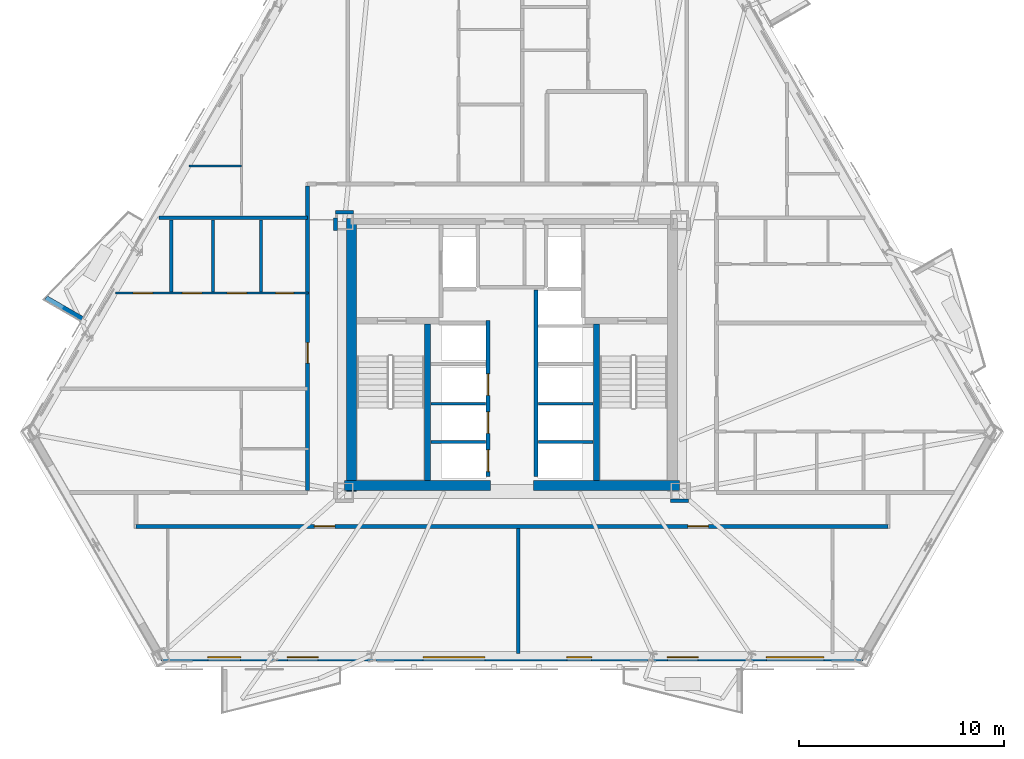
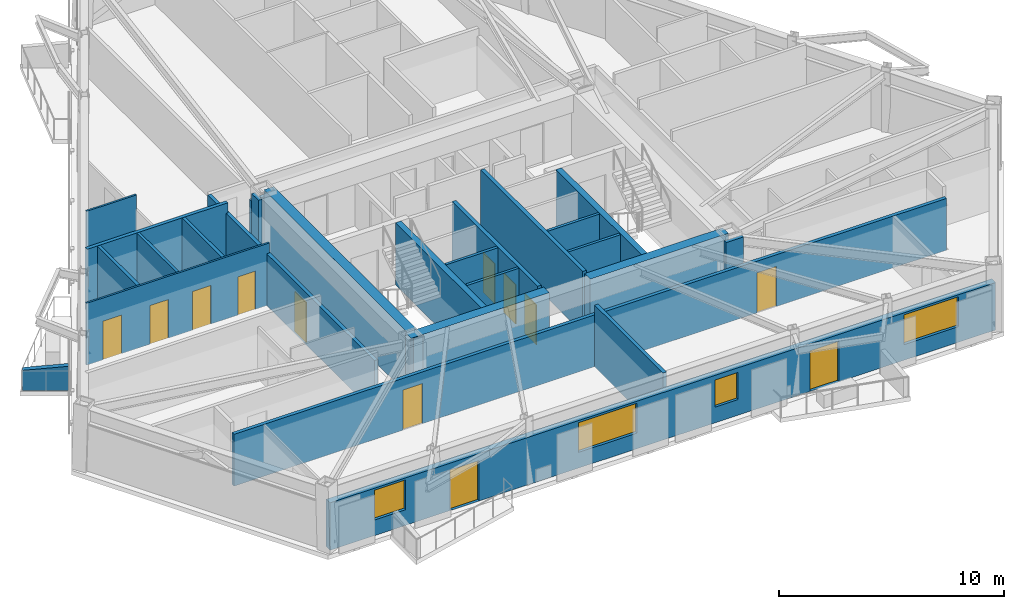
# One storey, part 3 of 11: 25 walls, 12 doors, 4 windows, 16 openings.
"""IFC4 building model written with IfcOpenShell, lengths in metres."""

from ifc_helpers import new_model, si_unit, direction, frame, frame_2d, origin, place, context, subcontext, project, spatial, polyline, rectangle, outline, extrude, material, layer, layer_set, type_object, element, fill, save


model = new_model("IFC4")

# Units and contexts
model_context = context("Model", 3, precision=1e-05, world=origin(), true_north=direction((0.0, 1.0)))
body_context = subcontext(model_context, "Body", "Model", "MODEL_VIEW")
ifc_project = project(units=[si_unit("LENGTHUNIT", "METRE"), si_unit("AREAUNIT", "SQUARE_METRE"), si_unit("VOLUMEUNIT", "CUBIC_METRE"), si_unit("PLANEANGLEUNIT", "RADIAN"), si_unit("MASSUNIT", "GRAM", prefix="KILO")], contexts=[model_context])

# Site, building, storey
site_placement = place(None, origin())
site = spatial("IfcSite", under=ifc_project, at=site_placement, CompositionType="ELEMENT")
building_placement = place(site_placement, origin())
building = spatial("IfcBuilding", under=site, at=building_placement, Name="Oramaril Tower", CompositionType="ELEMENT")
storey_placement = place(building_placement, frame((0.0, 0.0, 86.10009765625)))
storey = spatial("IfcBuildingStorey", under=building, at=storey_placement, Name="L22", CompositionType="ELEMENT", Elevation=86.10009765625)

# Wall, openings, doors, windows
ifc_material_1 = material(Name="Warm Cream Limestone", Category="masonry")
ifc_layer_1 = layer(ifc_material_1, 0.340087890625)
ifc_layer_set_1 = layer_set([ifc_layer_1], Name="WT-EXT34")
wall_type_1 = type_object("IfcWallType", Name="WT-EXT34", PredefinedType="SOLIDWALL", material=ifc_layer_set_1)
wall_1_placement = place(storey_placement, frame((20.404052734375, 2.930419921875, 0.0), z_axis=(0.0, 0.0, 1.0), x_axis=(1.0, 0.0, 0.0)))
wall_1 = element("IfcWall", 1, at=wall_1_placement, inside=storey, type_object=wall_type_1, Name="L22 Tower Limestone Facade Wall 2M", PredefinedType="SOLIDWALL", context=body_context, shape_type="SweptSolid", body=[
    extrude(rectangle(XDim=34.19189453125, YDim=0.340087890625, at=frame_2d((17.095947265625, 0.0))), origin(), (0.0, 0.0, 1.0), 2.577880859375),
])
opening_1_placement = place(wall_1_placement, frame((6.159423828125, 0.0, 0.0)))
opening_1 = element("IfcOpeningElement", 2, at=opening_1_placement, cuts=wall_1, Name="Opening D-L22-BAL-S1", PredefinedType="OPENING", context=body_context, shape_type="SweptSolid", body=[
    extrude(rectangle(XDim=1.5, YDim=2.199951171875, at=frame_2d((0.75, 1.10009765625))), frame((0.0, 0.169921875, 0.0), z_axis=(0.0, -1.0, 0.0), x_axis=(1.0, 0.0, 0.0)), (0.0, 0.0, 1.0), 0.340087890625),
])
opening_2_placement = place(wall_1_placement, frame((24.65771484375, 0.0, 0.0)))
opening_2 = element("IfcOpeningElement", 3, at=opening_2_placement, cuts=wall_1, Name="Opening D-L22-BAL-S2", PredefinedType="OPENING", context=body_context, shape_type="SweptSolid", body=[
    extrude(rectangle(XDim=1.5, YDim=2.199951171875, at=frame_2d((0.75, 1.10009765625))), frame((0.0, 0.169921875, 0.0), z_axis=(0.0, -1.0, 0.0), x_axis=(1.0, 0.0, 0.0)), (0.0, 0.0, 1.0), 0.340087890625),
])
opening_3_placement = place(wall_1_placement, frame((2.287353515625, 0.0, 0.85009765625)))
opening_3 = element("IfcOpeningElement", 4, at=opening_3_placement, cuts=wall_1, Name="Opening WN-07", PredefinedType="OPENING", context=body_context, shape_type="SweptSolid", body=[
    extrude(rectangle(XDim=1.60009765625, YDim=1.617919921875, at=frame_2d((0.800048828125, 0.80908203125))), frame((0.0, 0.169921875, 0.0), z_axis=(0.0, -1.0, 0.0), x_axis=(1.0, 0.0, 0.0)), (0.0, 0.0, 1.0), 0.340087890625),
])
opening_4_placement = place(wall_1_placement, frame((12.773681640625, 0.0, 0.85009765625)))
opening_4 = element("IfcOpeningElement", 5, at=opening_4_placement, cuts=wall_1, Name="Opening WN-10", PredefinedType="OPENING", context=body_context, shape_type="SweptSolid", body=[
    extrude(rectangle(XDim=3.0, YDim=1.617919921875, at=frame_2d((1.5, 0.80908203125))), frame((0.0, 0.169921875, 0.0), z_axis=(0.0, -1.0, 0.0), x_axis=(1.0, 0.0, 0.0)), (0.0, 0.0, 1.0), 0.340087890625),
])
opening_5_placement = place(wall_1_placement, frame((19.768310546875, 0.0, 0.85009765625)))
opening_5 = element("IfcOpeningElement", 6, at=opening_5_placement, cuts=wall_1, Name="Opening WN-09", PredefinedType="OPENING", context=body_context, shape_type="SweptSolid", body=[
    extrude(rectangle(XDim=1.199951171875, YDim=1.47998046875, at=frame_2d((0.60009765625, 0.739990234375))), frame((0.0, 0.169921875, 0.0), z_axis=(0.0, -1.0, 0.0), x_axis=(1.0, 0.0, 0.0)), (0.0, 0.0, 1.0), 0.340087890625),
])
opening_6_placement = place(wall_1_placement, frame((29.479736328125, 0.0, 0.85009765625)))
opening_6 = element("IfcOpeningElement", 7, at=opening_6_placement, cuts=wall_1, Name="Opening WN-01", PredefinedType="OPENING", context=body_context, shape_type="SweptSolid", body=[
    extrude(rectangle(XDim=2.800048828125, YDim=1.617919921875, at=frame_2d((1.39990234375, 0.80908203125))), frame((0.0, 0.169921875, 0.0), z_axis=(0.0, -1.0, 0.0), x_axis=(1.0, 0.0, 0.0)), (0.0, 0.0, 1.0), 0.340087890625),
])
ifc_material_2 = material(Name="Anodised Aluminium 6063-T6", Category="aluminium")
door_type_1 = type_object("IfcDoorType", Name="DT-BAL", OperationType="NOTDEFINED", PredefinedType="DOOR", material=ifc_material_2)
door_1_placement = place(opening_1_placement, origin())
door_1 = element("IfcDoor", 8, at=door_1_placement, inside=storey, type_object=door_type_1, Name="L22 Balcony Glazed Door L22-BAL-S1", OperationType="SINGLE_SWING_LEFT", OverallHeight=2.199951171875, OverallWidth=1.5, PredefinedType="DOOR", context=body_context, shape_type="SweptSolid", body=[
    extrude(rectangle(XDim=1.5, YDim=2.199951171875, at=frame_2d((0.75, 1.10009765625))), frame((0.0, 0.02490234375, 0.0), z_axis=(0.0, -1.0, 0.0), x_axis=(1.0, 0.0, 0.0)), (0.0, 0.0, 1.0), 0.050048828125),
])
fill(opening_1, door_1)
door_2_placement = place(opening_2_placement, origin())
door_2 = element("IfcDoor", 9, at=door_2_placement, inside=storey, type_object=door_type_1, Name="L22 Balcony Glazed Door L22-BAL-S2", OperationType="SINGLE_SWING_RIGHT", OverallHeight=2.199951171875, OverallWidth=1.5, PredefinedType="DOOR", context=body_context, shape_type="SweptSolid", body=[
    extrude(rectangle(XDim=1.5, YDim=2.199951171875, at=frame_2d((0.75, 1.10009765625))), frame((0.0, 0.02490234375, 0.0), z_axis=(0.0, -1.0, 0.0), x_axis=(1.0, 0.0, 0.0)), (0.0, 0.0, 1.0), 0.050048828125),
])
fill(opening_2, door_2)
ifc_material_3 = material(Name="Coastal Low-E Insulated Glass", Category="glass")
window_type_1 = type_object("IfcWindowType", Name="WNT-01", PartitioningType="SINGLE_PANEL", PredefinedType="WINDOW", material=ifc_material_3)
window_1_placement = place(opening_6_placement, origin())
window_1 = element("IfcWindow", 10, at=window_1_placement, inside=storey, type_object=window_type_1, Name="L22 Chicago Bay Window WN-01", OverallHeight=1.617919921875, OverallWidth=2.800048828125, PartitioningType="SINGLE_PANEL", PredefinedType="WINDOW", context=body_context, shape_type="SweptSolid", body=[
    extrude(rectangle(XDim=2.800048828125, YDim=1.617919921875, at=frame_2d((1.39990234375, 0.80908203125))), frame((0.0, 0.030029296875, 0.0), z_axis=(0.0, -1.0, 0.0), x_axis=(1.0, 0.0, 0.0)), (0.0, 0.0, 1.0), 0.06005859375),
])
fill(opening_6, window_1)
ifc_material_4 = material(Name="Coastal Low-E Insulated Glass", Category="glass")
window_type_2 = type_object("IfcWindowType", Name="WNT-07", PartitioningType="SINGLE_PANEL", PredefinedType="WINDOW", material=ifc_material_4)
window_2_placement = place(opening_3_placement, origin())
window_2 = element("IfcWindow", 11, at=window_2_placement, inside=storey, type_object=window_type_2, Name="L22 Chicago Bay Window WN-07", OverallHeight=1.617919921875, OverallWidth=1.60009765625, PartitioningType="SINGLE_PANEL", PredefinedType="WINDOW", context=body_context, shape_type="SweptSolid", body=[
    extrude(rectangle(XDim=1.60009765625, YDim=1.617919921875, at=frame_2d((0.800048828125, 0.80908203125))), frame((0.0, 0.030029296875, 0.0), z_axis=(0.0, -1.0, 0.0), x_axis=(1.0, 0.0, 0.0)), (0.0, 0.0, 1.0), 0.06005859375),
])
fill(opening_3, window_2)
ifc_material_5 = material(Name="Coastal Low-E Insulated Glass", Category="glass")
window_type_3 = type_object("IfcWindowType", Name="WNT-09", PartitioningType="SINGLE_PANEL", PredefinedType="WINDOW", material=ifc_material_5)
window_3_placement = place(opening_5_placement, origin())
window_3 = element("IfcWindow", 12, at=window_3_placement, inside=storey, type_object=window_type_3, Name="L22 Chicago Bay Window WN-09", OverallHeight=1.47998046875, OverallWidth=1.199951171875, PartitioningType="SINGLE_PANEL", PredefinedType="WINDOW", context=body_context, shape_type="SweptSolid", body=[
    extrude(rectangle(XDim=1.199951171875, YDim=1.47998046875, at=frame_2d((0.60009765625, 0.739990234375))), frame((0.0, 0.030029296875, 0.0), z_axis=(0.0, -1.0, 0.0), x_axis=(1.0, 0.0, 0.0)), (0.0, 0.0, 1.0), 0.06005859375),
])
fill(opening_5, window_3)
ifc_material_6 = material(Name="Coastal Low-E Insulated Glass", Category="glass")
window_type_4 = type_object("IfcWindowType", Name="WNT-10", PartitioningType="SINGLE_PANEL", PredefinedType="WINDOW", material=ifc_material_6)
window_4_placement = place(opening_4_placement, origin())
window_4 = element("IfcWindow", 13, at=window_4_placement, inside=storey, type_object=window_type_4, Name="L22 Chicago Bay Window WN-10", OverallHeight=1.617919921875, OverallWidth=3.0, PartitioningType="SINGLE_PANEL", PredefinedType="WINDOW", context=body_context, shape_type="SweptSolid", body=[
    extrude(rectangle(XDim=3.0, YDim=1.617919921875, at=frame_2d((1.5, 0.80908203125))), frame((0.0, 0.030029296875, 0.0), z_axis=(0.0, -1.0, 0.0), x_axis=(1.0, 0.0, 0.0)), (0.0, 0.0, 1.0), 0.06005859375),
])
fill(opening_4, window_4)

# Wall
ifc_material_7 = material(Name="Concrete C40/50", Category="concrete")
ifc_layer_2 = layer(ifc_material_7, 0.22998046875)
ifc_layer_set_2 = layer_set([ifc_layer_2], Name="WT-PRP23")
wall_type_2 = type_object("IfcWallType", Name="WT-PRP23", PredefinedType="PARAPET", material=ifc_layer_set_2)
wall_2_placement = place(storey_placement, frame((16.58447265625, 19.40869140625, 0.0), z_axis=(0.0, 0.0, 1.0), x_axis=(-0.866012356593, 0.500022597718, 0.0)))
element("IfcWall", 14, at=wall_2_placement, inside=storey, type_object=wall_type_2, Name="L22 Trapezoidal Balcony Frame Cheek L22-BAL-NW2-R", PredefinedType="PARAPET", context=body_context, shape_type="SweptSolid", body=[
    extrude(outline(polyline([(0.0, 0.0), (2.0419921875, 0.0), (2.0419921875, 1.099853515625), (0.0, 1.31982421875), (0.0, 0.0)])), frame((0.0, 0.114990234375, 0.0), z_axis=(0.0, -1.0, 0.0), x_axis=(1.0, 0.0, 0.0)), (0.0, 0.0, 1.0), 0.22998046875),
])

# Wall, openings, doors
ifc_material_8 = material(Name="Acoustic Gypsum Board Partition")
ifc_layer_3 = layer(ifc_material_8, 0.10009765625)
ifc_layer_set_3 = layer_set([ifc_layer_3], Name="WT-PT10")
wall_type_3 = type_object("IfcWallType", Name="WT-PT10", PredefinedType="PARTITIONING", material=ifc_layer_set_3)
wall_3_placement = place(storey_placement, frame((18.198486328125, 20.659912109375, 0.0), z_axis=(0.0, 0.0, 1.0), x_axis=(1.0, 0.0, 0.0)))
wall_3 = element("IfcWall", 15, at=wall_3_placement, inside=storey, type_object=wall_type_3, Name="L22 Interior Partition PT-10", PredefinedType="PARTITIONING", context=body_context, shape_type="SweptSolid", body=[
    extrude(rectangle(XDim=9.401611328125, YDim=0.10009765625, at=frame_2d((4.70068359375, 0.0))), origin(), (0.0, 0.0, 1.0), 3.35986328125),
])
opening_7_placement = place(wall_3_placement, frame((0.857421875, 0.0, 0.0)))
opening_7 = element("IfcOpeningElement", 16, at=opening_7_placement, cuts=wall_3, Name="Opening D-L22-09", PredefinedType="OPENING", context=body_context, shape_type="SweptSolid", body=[
    extrude(rectangle(XDim=0.949951171875, YDim=2.10009765625, at=frame_2d((0.47509765625, 1.050048828125))), frame((0.0, 0.050048828125, 0.0), z_axis=(0.0, -1.0, 0.0), x_axis=(1.0, 0.0, 0.0)), (0.0, 0.0, 1.0), 0.10009765625),
])
opening_8_placement = place(wall_3_placement, frame((3.25537109375, 0.0, 0.0)))
opening_8 = element("IfcOpeningElement", 17, at=opening_8_placement, cuts=wall_3, Name="Opening D-L22-10", PredefinedType="OPENING", context=body_context, shape_type="SweptSolid", body=[
    extrude(rectangle(XDim=0.949951171875, YDim=2.10009765625, at=frame_2d((0.47509765625, 1.050048828125))), frame((0.0, 0.050048828125, 0.0), z_axis=(0.0, -1.0, 0.0), x_axis=(1.0, 0.0, 0.0)), (0.0, 0.0, 1.0), 0.10009765625),
])
opening_9_placement = place(wall_3_placement, frame((5.434814453125, 0.0, 0.0)))
opening_9 = element("IfcOpeningElement", 18, at=opening_9_placement, cuts=wall_3, Name="Opening D-L22-11", PredefinedType="OPENING", context=body_context, shape_type="SweptSolid", body=[
    extrude(rectangle(XDim=0.949951171875, YDim=2.10009765625, at=frame_2d((0.47509765625, 1.050048828125))), frame((0.0, 0.050048828125, 0.0), z_axis=(0.0, -1.0, 0.0), x_axis=(1.0, 0.0, 0.0)), (0.0, 0.0, 1.0), 0.10009765625),
])
opening_10_placement = place(wall_3_placement, frame((7.7919921875, 0.0, 0.0)))
opening_10 = element("IfcOpeningElement", 19, at=opening_10_placement, cuts=wall_3, Name="Opening D-L22-12", PredefinedType="OPENING", context=body_context, shape_type="SweptSolid", body=[
    extrude(rectangle(XDim=0.8798828125, YDim=2.080078125, at=frame_2d((0.43994140625, 1.0400390625))), frame((0.0, 0.050048828125, 0.0), z_axis=(0.0, -1.0, 0.0), x_axis=(1.0, 0.0, 0.0)), (0.0, 0.0, 1.0), 0.10009765625),
])
ifc_material_9 = material(Name="FSC Brazilian Freijo Hardwood", Category="wood")
door_type_2 = type_object("IfcDoorType", Name="DT-BATH", OperationType="NOTDEFINED", PredefinedType="DOOR", material=ifc_material_9)
door_3_placement = place(opening_10_placement, origin())
door_3 = element("IfcDoor", 20, at=door_3_placement, inside=storey, type_object=door_type_2, Name="L22 Flat L22-U4 Bathroom Door D-L22-12", OperationType="SINGLE_SWING_RIGHT", OverallHeight=2.080078125, OverallWidth=0.8798828125, PredefinedType="DOOR", context=body_context, shape_type="SweptSolid", body=[
    extrude(rectangle(XDim=0.8798828125, YDim=2.080078125, at=frame_2d((0.43994140625, 1.0400390625))), frame((0.0, 0.02490234375, 0.0), z_axis=(0.0, -1.0, 0.0), x_axis=(1.0, 0.0, 0.0)), (0.0, 0.0, 1.0), 0.050048828125),
])
fill(opening_10, door_3)
ifc_material_10 = material(Name="FSC Brazilian Freijo Hardwood", Category="wood")
door_type_3 = type_object("IfcDoorType", Name="DT-STDY", OperationType="NOTDEFINED", PredefinedType="DOOR", material=ifc_material_10)
door_4_placement = place(opening_7_placement, origin())
door_4 = element("IfcDoor", 21, at=door_4_placement, inside=storey, type_object=door_type_3, Name="L22 Flat L22-U4 Breakfast Dining Room Door D-L22-09", OperationType="SINGLE_SWING_LEFT", OverallHeight=2.10009765625, OverallWidth=0.949951171875, PredefinedType="DOOR", context=body_context, shape_type="SweptSolid", body=[
    extrude(rectangle(XDim=0.949951171875, YDim=2.10009765625, at=frame_2d((0.47509765625, 1.050048828125))), frame((0.0, 0.02490234375, 0.0), z_axis=(0.0, -1.0, 0.0), x_axis=(1.0, 0.0, 0.0)), (0.0, 0.0, 1.0), 0.050048828125),
])
fill(opening_7, door_4)
door_5_placement = place(opening_8_placement, origin())
door_5 = element("IfcDoor", 22, at=door_5_placement, inside=storey, type_object=door_type_3, Name="L22 Flat L22-U4 Dining Room Door D-L22-10", OperationType="SINGLE_SWING_RIGHT", OverallHeight=2.10009765625, OverallWidth=0.949951171875, PredefinedType="DOOR", context=body_context, shape_type="SweptSolid", body=[
    extrude(rectangle(XDim=0.949951171875, YDim=2.10009765625, at=frame_2d((0.47509765625, 1.050048828125))), frame((0.0, 0.02490234375, 0.0), z_axis=(0.0, -1.0, 0.0), x_axis=(1.0, 0.0, 0.0)), (0.0, 0.0, 1.0), 0.050048828125),
])
fill(opening_8, door_5)
door_6_placement = place(opening_9_placement, origin())
door_6 = element("IfcDoor", 23, at=door_6_placement, inside=storey, type_object=door_type_3, Name="L22 Flat L22-U4 Kitchen Door D-L22-11", OperationType="SINGLE_SWING_LEFT", OverallHeight=2.10009765625, OverallWidth=0.949951171875, PredefinedType="DOOR", context=body_context, shape_type="SweptSolid", body=[
    extrude(rectangle(XDim=0.949951171875, YDim=2.10009765625, at=frame_2d((0.47509765625, 1.050048828125))), frame((0.0, 0.02490234375, 0.0), z_axis=(0.0, -1.0, 0.0), x_axis=(1.0, 0.0, 0.0)), (0.0, 0.0, 1.0), 0.050048828125),
])
fill(opening_9, door_6)

# Walls
wall_4_placement = place(storey_placement, frame((21.7666015625, 26.840087890625, 0.0), z_axis=(0.0, 0.0, 1.0), x_axis=(1.0, 0.0, 0.0)))
element("IfcWall", 24, at=wall_4_placement, inside=storey, type_object=wall_type_3, Name="L22 Interior Partition PT-10", PredefinedType="PARTITIONING", context=body_context, shape_type="SweptSolid", body=[
    extrude(rectangle(XDim=2.572509765625, YDim=0.10009765625, at=frame_2d((1.2861328125, 0.0))), origin(), (0.0, 0.0, 1.0), 3.35986328125),
])
ifc_material_11 = material(Name="Acoustic Gypsum Board Partition")
ifc_layer_4 = layer(ifc_material_11, 0.139892578125)
ifc_layer_set_4 = layer_set([ifc_layer_4], Name="WT-PT14")
wall_type_4 = type_object("IfcWallType", Name="WT-PT14", PredefinedType="PARTITIONING", material=ifc_layer_set_4)
for number, where, z_axis, x_axis, name in (
    (25, (33.56005859375, 13.419921875, 0.0), (0.0, 0.0, 1.0), (1.0, 0.0, 0.0), "L22 West Lift Divider"),
    (26, (33.56005859375, 15.27001953125, 0.0), (0.0, 0.0, 1.0), (1.0, 0.0, 0.0), "L22 West Lift Divider"),
    (27, (38.780029296875, 13.419921875, 0.0), (0.0, 0.0, 1.0), (1.0, 0.0, 0.0), "L22 East Lift Divider"),
    (28, (38.780029296875, 15.27001953125, 0.0), (0.0, 0.0, 1.0), (1.0, 0.0, 0.0), "L22 East Lift Divider"),
):
    element("IfcWall", number, at=place(storey_placement, frame(where, z_axis=z_axis, x_axis=x_axis)), inside=storey, type_object=wall_type_4, Name=name, PredefinedType="PARTITIONING", context=body_context, shape_type="SweptSolid", body=[
        extrude(rectangle(XDim=2.659912109375, YDim=0.139892578125, at=frame_2d((1.330078125, 0.0))), origin(), (0.0, 0.0, 1.0), 3.35986328125),
    ])
wall_5_placement = place(storey_placement, frame((22.93994140625, 20.714111328125, 0.0), z_axis=(0.0, 0.0, 1.0), x_axis=(0.0, 1.0, 0.0)))
element("IfcWall", 29, at=wall_5_placement, inside=storey, type_object=wall_type_4, Name="L22 Interior Partition PT-14", PredefinedType="PARTITIONING", context=body_context, shape_type="SweptSolid", body=[
    extrude(rectangle(XDim=3.511962890625, YDim=0.139892578125, at=frame_2d((1.755859375, 0.0))), origin(), (0.0, 0.0, 1.0), 3.35986328125),
])
ifc_material_12 = material(Name="Acoustic Gypsum Board Partition")
ifc_layer_5 = layer(ifc_material_12, 0.159912109375)
ifc_layer_set_5 = layer_set([ifc_layer_5], Name="WT-PT16")
wall_type_5 = type_object("IfcWallType", Name="WT-PT16", PredefinedType="PARTITIONING", material=ifc_layer_set_5)
for number, where, z_axis, x_axis, name in (
    (30, (20.919921875, 20.714111328125, 0.0), (0.0, 0.0, 1.0), (0.0, 1.0, 0.0), "L22 Interior Partition PT-16"),
    (31, (25.280029296875, 20.714111328125, 0.0), (0.0, 0.0, 1.0), (0.0, 1.0, 0.0), "L22 Interior Partition PT-16"),
):
    element("IfcWall", number, at=place(storey_placement, frame(where, z_axis=z_axis, x_axis=x_axis)), inside=storey, type_object=wall_type_5, Name=name, PredefinedType="PARTITIONING", context=body_context, shape_type="SweptSolid", body=[
        extrude(rectangle(XDim=3.511962890625, YDim=0.159912109375, at=frame_2d((1.755859375, 0.0))), origin(), (0.0, 0.0, 1.0), 3.35986328125),
    ])

# Wall, openings, doors
ifc_material_13 = material(Name="Autoclaved Cellular Concrete Block", Category="concrete")
ifc_layer_6 = layer(ifc_material_13, 0.179931640625)
ifc_layer_set_6 = layer_set([ifc_layer_6], Name="WT-PT18")
wall_type_6 = type_object("IfcWallType", Name="WT-PT18", PredefinedType="PARTITIONING", material=ifc_layer_set_6)
wall_6_placement = place(storey_placement, frame((19.199951171875, 9.300048828125, 0.0), z_axis=(0.0, 0.0, 1.0), x_axis=(1.0, 0.0, 0.0)))
wall_6 = element("IfcWall", 32, at=wall_6_placement, inside=storey, type_object=wall_type_6, Name="L22 Interior Partition PT-18", PredefinedType="PARTITIONING", context=body_context, shape_type="SweptSolid", body=[
    extrude(rectangle(XDim=36.60009765625, YDim=0.179931640625, at=frame_2d((18.300048828125, 0.0))), origin(), (0.0, 0.0, 1.0), 2.81396484375),
])
opening_11_placement = place(wall_6_placement, frame((8.680419921875, 0.0, 0.0)))
opening_11 = element("IfcOpeningElement", 33, at=opening_11_placement, cuts=wall_6, Name="Opening D-L22-01", PredefinedType="OPENING", context=body_context, shape_type="SweptSolid", body=[
    extrude(rectangle(XDim=1.0, YDim=2.179931640625, at=frame_2d((0.5, 1.08984375))), frame((0.0, 0.08984375, 0.0), z_axis=(0.0, -1.0, 0.0), x_axis=(1.0, 0.0, 0.0)), (0.0, 0.0, 1.0), 0.179931640625),
])
opening_12_placement = place(wall_6_placement, frame((26.86474609375, 0.0, 0.0)))
opening_12 = element("IfcOpeningElement", 34, at=opening_12_placement, cuts=wall_6, Name="Opening D-L22-02", PredefinedType="OPENING", context=body_context, shape_type="SweptSolid", body=[
    extrude(rectangle(XDim=1.0, YDim=2.179931640625, at=frame_2d((0.5, 1.08984375))), frame((0.0, 0.08984375, 0.0), z_axis=(0.0, -1.0, 0.0), x_axis=(1.0, 0.0, 0.0)), (0.0, 0.0, 1.0), 0.179931640625),
])
ifc_material_14 = material(Name="FSC Brazilian Freijo Hardwood", Category="wood")
door_type_4 = type_object("IfcDoorType", Name="DT-APT", OperationType="NOTDEFINED", PredefinedType="DOOR", material=ifc_material_14)
door_7_placement = place(opening_11_placement, origin())
door_7 = element("IfcDoor", 35, at=door_7_placement, inside=storey, type_object=door_type_4, Name="L22 Flat L22-U1 Kitchen and Studio Apartment Door D-L22-01", OperationType="SINGLE_SWING_LEFT", OverallHeight=2.179931640625, OverallWidth=1.0, PredefinedType="DOOR", context=body_context, shape_type="SweptSolid", body=[
    extrude(rectangle(XDim=1.0, YDim=2.179931640625, at=frame_2d((0.5, 1.08984375))), frame((0.0, 0.02490234375, 0.0), z_axis=(0.0, -1.0, 0.0), x_axis=(1.0, 0.0, 0.0)), (0.0, 0.0, 1.0), 0.050048828125),
])
fill(opening_11, door_7)
door_8_placement = place(opening_12_placement, origin())
door_8 = element("IfcDoor", 36, at=door_8_placement, inside=storey, type_object=door_type_4, Name="L22 Flat L22-U2 Kitchen and Studio Apartment Door D-L22-02", OperationType="SINGLE_SWING_RIGHT", OverallHeight=2.179931640625, OverallWidth=1.0, PredefinedType="DOOR", context=body_context, shape_type="SweptSolid", body=[
    extrude(rectangle(XDim=1.0, YDim=2.179931640625, at=frame_2d((0.5, 1.08984375))), frame((0.0, 0.02490234375, 0.0), z_axis=(0.0, -1.0, 0.0), x_axis=(1.0, 0.0, 0.0)), (0.0, 0.0, 1.0), 0.050048828125),
])
fill(opening_12, door_8)

# Walls
wall_7_placement = place(storey_placement, frame((45.205078125, 10.550048828125, 0.0), z_axis=(0.0, 0.0, 1.0), x_axis=(1.0, 0.0, 0.0)))
element("IfcWall", 37, at=wall_7_placement, inside=storey, type_object=wall_type_6, Name="L22 Interior Partition PT-18", PredefinedType="PARTITIONING", context=body_context, shape_type="SweptSolid", body=[
    extrude(rectangle(XDim=0.889892578125, YDim=0.179931640625, at=frame_2d((0.44482421875, 0.0))), origin(), (0.0, 0.0, 1.0), 3.35986328125),
])
wall_8_placement = place(storey_placement, frame((20.3115234375, 24.320068359375, 0.0), z_axis=(0.0, 0.0, 1.0), x_axis=(1.0, 0.0, 0.0)))
element("IfcWall", 38, at=wall_8_placement, inside=storey, type_object=wall_type_6, Name="L22 Interior Partition PT-18", PredefinedType="PARTITIONING", context=body_context, shape_type="SweptSolid", body=[
    extrude(rectangle(XDim=7.238525390625, YDim=0.179931640625, at=frame_2d((3.619140625, 0.0))), origin(), (0.0, 0.0, 1.0), 3.35986328125),
])
wall_9_placement = place(storey_placement, frame((28.909912109375, 24.590087890625, 0.0), z_axis=(0.0, 0.0, 1.0), x_axis=(1.0, 0.0, 0.0)))
element("IfcWall", 39, at=wall_9_placement, inside=storey, type_object=wall_type_6, Name="L22 Interior Partition PT-18", PredefinedType="PARTITIONING", context=body_context, shape_type="SweptSolid", body=[
    extrude(rectangle(XDim=0.880126953125, YDim=0.179931640625, at=frame_2d((0.43994140625, 0.0))), origin(), (0.0, 0.0, 1.0), 2.81396484375),
])

# Wall, opening, door
wall_10_placement = place(storey_placement, frame((27.550048828125, 11.0439453125, 0.0), z_axis=(0.0, 0.0, 1.0), x_axis=(0.0, 1.0, 0.0)))
wall_10 = element("IfcWall", 40, at=wall_10_placement, inside=storey, type_object=wall_type_6, Name="L22 Interior Partition PT-18", PredefinedType="PARTITIONING", context=body_context, shape_type="SweptSolid", body=[
    extrude(rectangle(XDim=14.83203125, YDim=0.179931640625, at=frame_2d((7.416015625, 0.0))), origin(), (0.0, 0.0, 1.0), 2.81396484375),
])
opening_13_placement = place(wall_10_placement, frame((6.20849609375, 0.0, 0.0)))
opening_13 = element("IfcOpeningElement", 41, at=opening_13_placement, cuts=wall_10, Name="Opening D-L22-25", PredefinedType="OPENING", context=body_context, shape_type="SweptSolid", body=[
    extrude(rectangle(XDim=1.0, YDim=2.179931640625, at=frame_2d((0.5, 1.08984375))), frame((0.0, 0.08984375, 0.0), z_axis=(0.0, -1.0, 0.0), x_axis=(1.0, 0.0, 0.0)), (0.0, 0.0, 1.0), 0.179931640625),
])
door_9_placement = place(opening_13_placement, origin())
door_9 = element("IfcDoor", 42, at=door_9_placement, inside=storey, type_object=door_type_4, Name="L22 Flat L22-U4 Studio Apartment Door D-L22-25", OperationType="SINGLE_SWING_LEFT", OverallHeight=2.179931640625, OverallWidth=1.0, PredefinedType="DOOR", context=body_context, shape_type="SweptSolid", body=[
    extrude(rectangle(XDim=1.0, YDim=2.179931640625, at=frame_2d((0.5, 1.08984375))), frame((0.0, 0.02490234375, 0.0), z_axis=(0.0, -1.0, 0.0), x_axis=(1.0, 0.0, 0.0)), (0.0, 0.0, 1.0), 0.050048828125),
])
fill(opening_13, door_9)

# Walls
wall_11_placement = place(storey_placement, frame((28.909912109375, 23.7099609375, 0.0), z_axis=(0.0, 0.0, 1.0), x_axis=(0.0, 1.0, 0.0)))
element("IfcWall", 43, at=wall_11_placement, inside=storey, type_object=wall_type_6, Name="L22 Interior Partition PT-18", PredefinedType="PARTITIONING", context=body_context, shape_type="SweptSolid", body=[
    extrude(rectangle(XDim=0.610107421875, YDim=0.179931640625, at=frame_2d((0.30517578125, 0.0))), origin(), (0.0, 0.0, 1.0), 3.35986328125),
])
wall_12_placement = place(storey_placement, frame((37.800048828125, 3.1044921875, 0.0), z_axis=(0.0, 0.0, 1.0), x_axis=(0.0, 1.0, 0.0)))
element("IfcWall", 44, at=wall_12_placement, inside=storey, type_object=wall_type_6, Name="L22 Interior Partition PT-18", PredefinedType="PARTITIONING", context=body_context, shape_type="SweptSolid", body=[
    extrude(rectangle(XDim=6.1015625, YDim=0.179931640625, at=frame_2d((3.05078125, 0.0))), origin(), (0.0, 0.0, 1.0), 3.35986328125),
])
ifc_material_15 = material(Name="Concrete C50/60", Category="concrete")
ifc_layer_7 = layer(ifc_material_15, 0.300048828125)
ifc_layer_set_7 = layer_set([ifc_layer_7], Name="WT-SH30")
wall_type_7 = type_object("IfcWallType", Name="WT-SH30", PredefinedType="SHEAR", material=ifc_layer_set_7)
for number, where, z_axis, x_axis, name in (
    (45, (33.3798828125, 11.5400390625, 0.0), (0.0, 0.0, 1.0), (0.0, 1.0, 0.0), "L22 Core Shear Wall CW-ST1E"),
    (46, (41.6201171875, 11.5400390625, 0.0), (0.0, 0.0, 1.0), (0.0, 1.0, 0.0), "L22 Core Shear Wall CW-ST2W"),
):
    element("IfcWall", number, at=place(storey_placement, frame(where, z_axis=z_axis, x_axis=x_axis)), inside=storey, type_object=wall_type_7, Name=name, PredefinedType="SHEAR", context=body_context, shape_type="SweptSolid", body=[
        extrude(rectangle(XDim=7.619873046875, YDim=0.300048828125, at=frame_2d((3.81005859375, 0.0))), origin(), (0.0, 0.0, 1.0), 3.35986328125),
    ])
ifc_material_16 = material(Name="Concrete C50/60", Category="concrete")
ifc_layer_8 = layer(ifc_material_16, 0.5)
ifc_layer_set_8 = layer_set([ifc_layer_8], Name="WT-SH50")
wall_type_8 = type_object("IfcWallType", Name="WT-SH50", PredefinedType="SHEAR", material=ifc_layer_set_8)
wall_13_placement = place(storey_placement, frame((29.68994140625, 11.0, 0.0), z_axis=(0.0, 0.0, 1.0), x_axis=(0.0, 1.0, 0.0)))
element("IfcWall", 47, at=wall_13_placement, inside=storey, type_object=wall_type_8, Name="L22 Core Shear Wall CW-W", PredefinedType="SHEAR", context=body_context, shape_type="SweptSolid", body=[
    extrude(rectangle(XDim=13.300048828125, YDim=0.5, at=frame_2d((6.64990234375, 0.0))), origin(), (0.0, 0.0, 1.0), 3.35986328125),
])
for number, where, z_axis, x_axis, name in (
    (48, (29.35009765625, 11.2900390625, 0.0), (0.0, 0.0, 1.0), (1.0, 0.0, 0.0), "L22 Core Shear Wall CW-SW"),
    (49, (38.550048828125, 11.2900390625, 0.0), (0.0, 0.0, 1.0), (1.0, 0.0, 0.0), "L22 Core Shear Wall CW-SE"),
):
    element("IfcWall", number, at=place(storey_placement, frame(where, z_axis=z_axis, x_axis=x_axis)), inside=storey, type_object=wall_type_8, Name=name, PredefinedType="SHEAR", context=body_context, shape_type="SweptSolid", body=[
        extrude(rectangle(XDim=7.099853515625, YDim=0.5, at=frame_2d((3.5498046875, 0.0))), origin(), (0.0, 0.0, 1.0), 3.35986328125),
    ])

# Wall, openings, doors
ifc_material_17 = material(Name="Autoclaved Cellular Concrete Block", Category="concrete")
ifc_layer_9 = layer(ifc_material_17, 0.199951171875)
ifc_layer_set_9 = layer_set([ifc_layer_9], Name="WT-SHF20")
wall_type_9 = type_object("IfcWallType", Name="WT-SHF20", PredefinedType="PARTITIONING", material=ifc_layer_set_9)
wall_14_placement = place(storey_placement, frame((36.340087890625, 11.719970703125, 0.0), z_axis=(0.0, 0.0, 1.0), x_axis=(0.0, 1.0, 0.0)))
wall_14 = element("IfcWall", 50, at=wall_14_placement, inside=storey, type_object=wall_type_9, Name="L22 West Lift Bank Front Wall", PredefinedType="PARTITIONING", context=body_context, shape_type="SweptSolid", body=[
    extrude(rectangle(XDim=7.60009765625, YDim=0.199951171875, at=frame_2d((3.800048828125, 0.0))), origin(), (0.0, 0.0, 1.0), 3.35986328125),
])
opening_14_placement = place(wall_14_placement, frame((0.2548828125, 0.0, 0.0)))
opening_14 = element("IfcOpeningElement", 51, at=opening_14_placement, cuts=wall_14, Name="Opening LD-L22-LP-L1", PredefinedType="OPENING", context=body_context, shape_type="SweptSolid", body=[
    extrude(rectangle(XDim=1.050048828125, YDim=2.14990234375, at=frame_2d((0.52490234375, 1.074951171875))), frame((0.0, 0.10009765625, 0.0), z_axis=(0.0, -1.0, 0.0), x_axis=(1.0, 0.0, 0.0)), (0.0, 0.0, 1.0), 0.199951171875),
])
opening_15_placement = place(wall_14_placement, frame((2.10498046875, 0.0, 0.0)))
opening_15 = element("IfcOpeningElement", 52, at=opening_15_placement, cuts=wall_14, Name="Opening LD-L22-LP-L2", PredefinedType="OPENING", context=body_context, shape_type="SweptSolid", body=[
    extrude(rectangle(XDim=1.050048828125, YDim=2.14990234375, at=frame_2d((0.52490234375, 1.074951171875))), frame((0.0, 0.10009765625, 0.0), z_axis=(0.0, -1.0, 0.0), x_axis=(1.0, 0.0, 0.0)), (0.0, 0.0, 1.0), 0.199951171875),
])
opening_16_placement = place(wall_14_placement, frame((3.955078125, 0.0, 0.0)))
opening_16 = element("IfcOpeningElement", 53, at=opening_16_placement, cuts=wall_14, Name="Opening LD-L22-LP-L3", PredefinedType="OPENING", context=body_context, shape_type="SweptSolid", body=[
    extrude(rectangle(XDim=1.050048828125, YDim=2.14990234375, at=frame_2d((0.52490234375, 1.074951171875))), frame((0.0, 0.10009765625, 0.0), z_axis=(0.0, -1.0, 0.0), x_axis=(1.0, 0.0, 0.0)), (0.0, 0.0, 1.0), 0.199951171875),
])
ifc_material_18 = material(Name="Stainless Steel 316L", Category="steel")
door_type_5 = type_object("IfcDoorType", Name="DT-LD2", OperationType="NOTDEFINED", PredefinedType="DOOR", material=ifc_material_18)
door_10_placement = place(opening_14_placement, origin())
door_10 = element("IfcDoor", 54, at=door_10_placement, inside=storey, type_object=door_type_5, Name="L22 Lift LP-L1 Sliding Landing Door", OperationType="SLIDING_TO_LEFT", OverallHeight=2.14990234375, OverallWidth=1.050048828125, PredefinedType="DOOR", context=body_context, shape_type="SweptSolid", body=[
    extrude(rectangle(XDim=1.050048828125, YDim=2.14990234375, at=frame_2d((0.52490234375, 1.074951171875))), frame((0.0, 0.02490234375, 0.0), z_axis=(0.0, -1.0, 0.0), x_axis=(1.0, 0.0, 0.0)), (0.0, 0.0, 1.0), 0.050048828125),
])
fill(opening_14, door_10)
door_11_placement = place(opening_15_placement, origin())
door_11 = element("IfcDoor", 55, at=door_11_placement, inside=storey, type_object=door_type_5, Name="L22 Lift LP-L2 Sliding Landing Door", OperationType="SLIDING_TO_RIGHT", OverallHeight=2.14990234375, OverallWidth=1.050048828125, PredefinedType="DOOR", context=body_context, shape_type="SweptSolid", body=[
    extrude(rectangle(XDim=1.050048828125, YDim=2.14990234375, at=frame_2d((0.52490234375, 1.074951171875))), frame((0.0, 0.02490234375, 0.0), z_axis=(0.0, -1.0, 0.0), x_axis=(1.0, 0.0, 0.0)), (0.0, 0.0, 1.0), 0.050048828125),
])
fill(opening_15, door_11)
door_12_placement = place(opening_16_placement, origin())
door_12 = element("IfcDoor", 56, at=door_12_placement, inside=storey, type_object=door_type_5, Name="L22 Lift LP-L3 Sliding Landing Door", OperationType="SLIDING_TO_LEFT", OverallHeight=2.14990234375, OverallWidth=1.050048828125, PredefinedType="DOOR", context=body_context, shape_type="SweptSolid", body=[
    extrude(rectangle(XDim=1.050048828125, YDim=2.14990234375, at=frame_2d((0.52490234375, 1.074951171875))), frame((0.0, 0.02490234375, 0.0), z_axis=(0.0, -1.0, 0.0), x_axis=(1.0, 0.0, 0.0)), (0.0, 0.0, 1.0), 0.050048828125),
])
fill(opening_16, door_12)

# Wall
wall_15_placement = place(storey_placement, frame((38.659912109375, 11.719970703125, 0.0), z_axis=(0.0, 0.0, 1.0), x_axis=(0.0, 1.0, 0.0)))
element("IfcWall", 57, at=wall_15_placement, inside=storey, type_object=wall_type_9, Name="L22 East Lift Bank Front Wall", PredefinedType="PARTITIONING", context=body_context, shape_type="SweptSolid", body=[
    extrude(rectangle(XDim=9.10009765625, YDim=0.199951171875, at=frame_2d((4.550048828125, 0.0))), origin(), (0.0, 0.0, 1.0), 3.35986328125),
])

save(model, "model.ifc")
